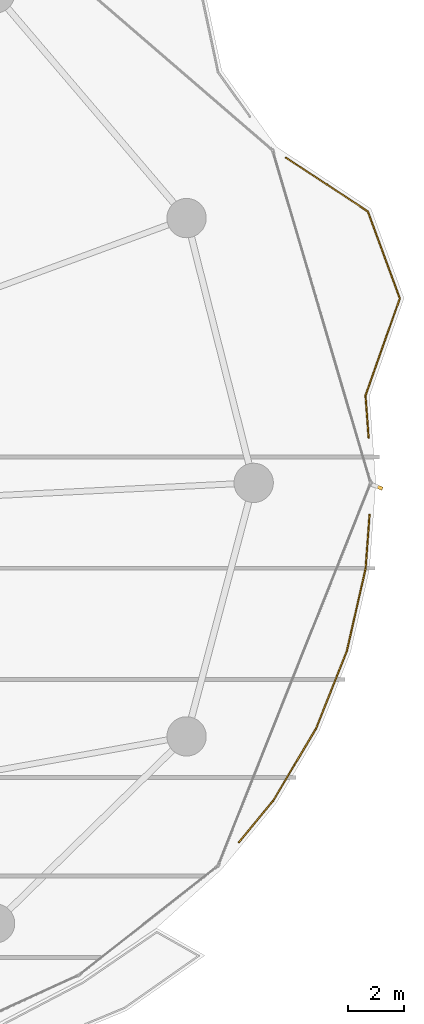
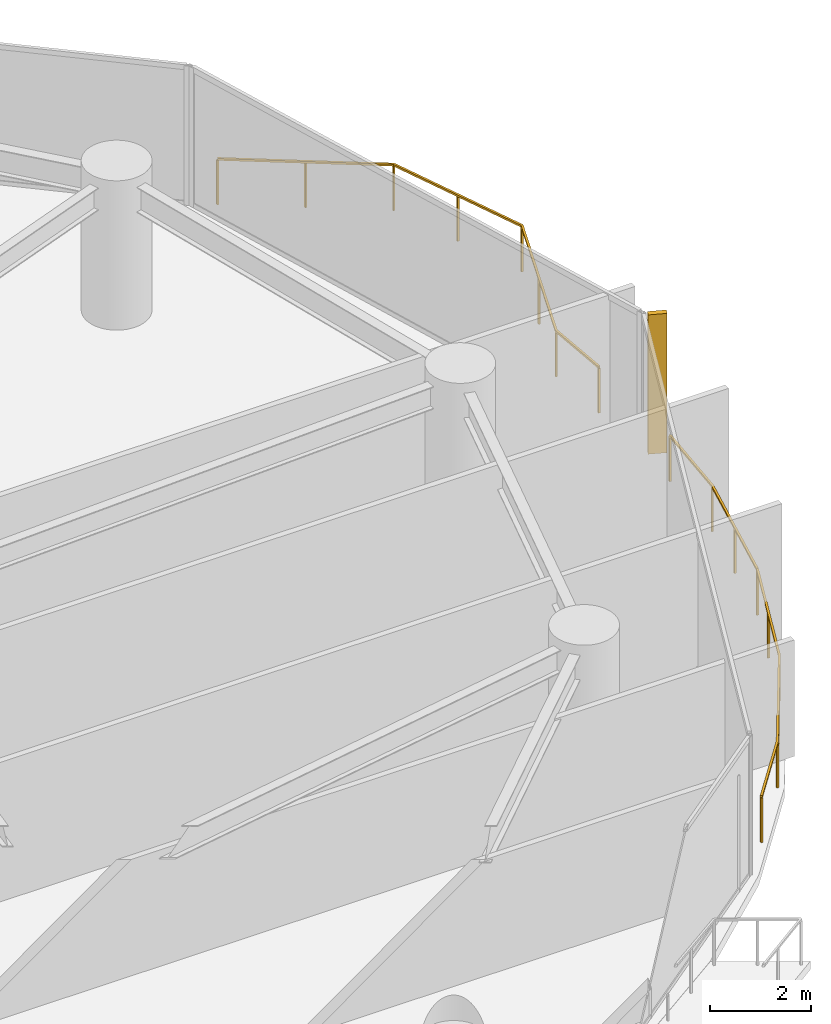
# One storey, part 33 of 33: 2 railings, 1 shading device.
"""IFC4 building model written with IfcOpenShell, lengths in metres."""

import ifcopenshell
import ifcopenshell.guid

model = None  # the IFC model being written
_history = None  # IfcOwnerHistory: only IFC2X3 demands one
_inside = {}  # id of a spatial element -> (the spatial element, [elements in it])
_under = {}  # id of a project, library or spatial element -> (it, [spatial elements below it])
_declared = {}  # id of a project -> (the project, [libraries it declares])
_typed = {}  # id of a type object -> (the type object, [elements of that type])
_made_of = {}  # id of a material, layer set ... -> (it, [elements and type objects made of it])


def new_model(schema):
    """Start an empty IFC model of exactly this schema.

    Asked for "IFC4X3", IfcOpenShell would pick the latest addendum, in which some entities
    have other attributes; the version numbers below select the first issue.
    IFC2X3 requires an IfcOwnerHistory on every rooted entity: one is made here for all.
    """
    global model, _history
    if schema == "IFC4X3":
        model = ifcopenshell.file(schema_version=(4, 3, 0, 0))
    else:
        model = ifcopenshell.file(schema=schema)
    _inside.clear()
    _under.clear()
    _declared.clear()
    _typed.clear()
    _made_of.clear()
    _history = None
    if model.schema == "IFC2X3":
        org = make("IfcOrganization", Name="unknown")
        user = make(
            "IfcPersonAndOrganization",
            ThePerson=make("IfcPerson", FamilyName="unknown"),
            TheOrganization=org,
        )
        app = make(
            "IfcApplication",
            ApplicationDeveloper=org,
            Version="unknown",
            ApplicationFullName="unknown",
            ApplicationIdentifier="unknown",
        )
        _history = make(
            "IfcOwnerHistory",
            OwningUser=user,
            OwningApplication=app,
            ChangeAction="ADDED",
            CreationDate=0,
        )
    return model


def make(cls, **values):
    """One entity of the class cls with the attributes given. An attribute that is None is left unset."""
    return model.create_entity(
        cls, **{name: value for name, value in values.items() if value is not None}
    )


def rooted(cls, **values):
    """An entity with a GlobalId (a new one), such as an element, a storey or a relation."""
    return make(cls, GlobalId=ifcopenshell.guid.new(), OwnerHistory=_history, **values)


def si_unit(unit_type, name, prefix=None):
    """IfcSIUnit, for example si_unit("LENGTHUNIT", "METRE", prefix="MILLI")."""
    return make("IfcSIUnit", UnitType=unit_type, Prefix=prefix, Name=name)


def assignment(units):
    """IfcUnitAssignment: the units of a project."""
    return None if units is None else make("IfcUnitAssignment", Units=units)


def point(xyz):
    """IfcCartesianPoint."""
    return None if xyz is None else make("IfcCartesianPoint", Coordinates=xyz)


def direction(xyz):
    """IfcDirection."""
    return None if xyz is None else make("IfcDirection", DirectionRatios=xyz)


def frame(location, z_axis=None, x_axis=None):
    """IfcAxis2Placement3D, a coordinate frame: its origin and axes. An axis left out is left unset."""
    return make(
        "IfcAxis2Placement3D",
        Location=point(location),
        Axis=direction(z_axis),
        RefDirection=direction(x_axis),
    )


def frame_2d(location, x_axis=None):
    """IfcAxis2Placement2D, a coordinate frame in the plane: its origin and x axis."""
    return make(
        "IfcAxis2Placement2D", Location=point(location), RefDirection=direction(x_axis)
    )


def origin():
    """The frame at (0, 0, 0) with its axes left unset."""
    return frame((0.0, 0.0, 0.0))


def origin_2d():
    """The frame at (0, 0) in the plane with its x axis left unset."""
    return frame_2d((0.0, 0.0))


def place(relative_to, where):
    """IfcLocalPlacement: puts the frame where relative to a parent placement (None: the world)."""
    return make(
        "IfcLocalPlacement", PlacementRelTo=relative_to, RelativePlacement=where
    )


def context(
    kind, dimensions, precision=None, world=None, true_north=None, identifier=None
):
    """IfcGeometricRepresentationContext, for example the 3D "Model" context."""
    return make(
        "IfcGeometricRepresentationContext",
        ContextIdentifier=identifier,
        ContextType=kind,
        CoordinateSpaceDimension=dimensions,
        Precision=precision,
        WorldCoordinateSystem=world,
        TrueNorth=true_north,
    )


def subcontext(parent, identifier, kind, view, scale=None):
    """IfcGeometricRepresentationSubContext, for example "Body" below "Model"."""
    return make(
        "IfcGeometricRepresentationSubContext",
        ContextIdentifier=identifier,
        ContextType=kind,
        ParentContext=parent,
        TargetScale=scale,
        TargetView=view,
    )


def project(units=None, contexts=None):
    """IfcProject with its units and contexts."""
    return rooted(
        "IfcProject",
        Name="project",
        RepresentationContexts=contexts,
        UnitsInContext=assignment(units),
    )


def spatial(cls, under=None, at=None, **own):
    """A site, building, storey or space (cls), placed at a placement, below another one or the project."""
    s = rooted(cls, ObjectPlacement=at, **own)
    if under is not None:
        _under.setdefault(under.id(), (under, []))[1].append(s)
    return s


def profile(cls, at=None, kind="AREA", **sizes):
    """A parametric profile (cls). Its sizes go by their IFC names, for example OverallWidth=200.0."""
    return make(cls, ProfileType=kind, Position=at, **sizes)


def rectangle(**sizes):
    """IfcRectangleProfileDef."""
    return profile("IfcRectangleProfileDef", **sizes)


def extrude(swept, where, along, depth):
    """IfcExtrudedAreaSolid: the profile swept, set in the frame where, extruded along a direction by depth."""
    return make(
        "IfcExtrudedAreaSolid",
        SweptArea=swept,
        Position=where,
        ExtrudedDirection=direction(along),
        Depth=depth,
    )


def shape(context_of_items, identifier, shape_type, items):
    """IfcShapeRepresentation: the items that make up one representation, for example the "Body"."""
    return make(
        "IfcShapeRepresentation",
        ContextOfItems=context_of_items,
        RepresentationIdentifier=identifier,
        RepresentationType=shape_type,
        Items=items,
    )


def material(Name=None, Category=None):
    """IfcMaterial."""
    return make("IfcMaterial", Name=Name, Category=Category)


def made_of(thing, what):
    """Note that an element or type object is made of a material, layer set ...; save() writes the relation."""
    if what is not None:
        _made_of.setdefault(what.id(), (what, []))[1].append(thing)
    return thing


def type_object(cls, material=None, **own):
    """A type object (cls), such as IfcWallType, which elements share."""
    return made_of(rooted(cls, **own), material)


def element(
    cls,
    number,
    at=None,
    inside=None,
    cuts=None,
    type_object=None,
    material=None,
    context=None,
    identifier="Body",
    shape_type=None,
    held_by="IfcProductDefinitionShape",
    body=None,
    shapes=None,
    **own,
):
    """One element of the class cls, such as IfcWall. Its Tag is "e" and its number.

    at: its placement. inside: the storey or other place that contains it. cuts: it is an
    opening in that element (IfcRelVoidsElement). A single representation is given by context,
    identifier, shape_type and body (its items); several are given by shapes. held_by: the class
    of the entity that holds the representations. save() writes the other relations.
    """
    e = rooted(cls, Tag="e%d" % number, ObjectPlacement=at, **own)
    if body is not None:
        shapes = [shape(context, identifier, shape_type, body)]
    if shapes is not None:
        e.Representation = make(held_by, Representations=shapes)
    if inside is not None:
        _inside.setdefault(inside.id(), (inside, []))[1].append(e)
    if cuts is not None:
        rooted(
            "IfcRelVoidsElement", RelatingBuildingElement=cuts, RelatedOpeningElement=e
        )
    if type_object is not None:
        _typed.setdefault(type_object.id(), (type_object, []))[1].append(e)
    return made_of(e, material)


def aggregate(whole, parts):
    """IfcRelAggregates: a whole, such as a stair, and the parts it consists of."""
    return rooted("IfcRelAggregates", RelatingObject=whole, RelatedObjects=parts)


def save(model, path):
    """Write the relations noted so far, then the file.

    IfcRelAggregates (storeys below a building ...), IfcRelContainedInSpatialStructure (elements
    in a storey), IfcRelDefinesByType, IfcRelAssociatesMaterial and IfcRelDeclares: one each for
    every whole, place, type object, material and project.
    """
    for whole, parts in _under.values():
        aggregate(whole, parts)
    for where, things in _inside.values():
        rooted(
            "IfcRelContainedInSpatialStructure",
            RelatedElements=things,
            RelatingStructure=where,
        )
    for kind, things in _typed.values():
        rooted("IfcRelDefinesByType", RelatedObjects=things, RelatingType=kind)
    for what, things in _made_of.values():
        rooted("IfcRelAssociatesMaterial", RelatedObjects=things, RelatingMaterial=what)
    for by, libraries in _declared.values():
        rooted("IfcRelDeclares", RelatingContext=by, RelatedDefinitions=libraries)
    model.write(path)


model = new_model("IFC4")

# Units and contexts
model_context = context("Model", 3, precision=1e-05, world=origin(), true_north=direction((0.0, 1.0)))
body_context = subcontext(model_context, "Body", "Model", "MODEL_VIEW")
ifc_project = project(units=[si_unit("LENGTHUNIT", "METRE"), si_unit("AREAUNIT", "SQUARE_METRE"), si_unit("VOLUMEUNIT", "CUBIC_METRE"), si_unit("PLANEANGLEUNIT", "RADIAN"), si_unit("MASSUNIT", "GRAM", prefix="KILO")], contexts=[model_context])

# Site, building, storey
site_placement = place(None, origin())
site = spatial("IfcSite", under=ifc_project, at=site_placement, CompositionType="ELEMENT")
building_placement = place(site_placement, origin())
building = spatial("IfcBuilding", under=site, at=building_placement, Name="Kazevale Care Tower and Concert Hall", CompositionType="ELEMENT")
storey_placement = place(building_placement, frame((0.0, 0.0, 27.60009765625)))
storey = spatial("IfcBuildingStorey", under=building, at=storey_placement, Name="L06", CompositionType="ELEMENT", Elevation=27.60009765625)

# Railings
ifc_material_1 = material(Name="Anodised Bronze Aluminium and Laminated Glass", Category="aluminium")
railing_type = type_object("IfcRailingType", Name="Balcony and Terrace Balustrade 1120", PredefinedType="BALUSTRADE", material=ifc_material_1)
railing_1_placement = place(storey_placement, frame((80.575927734375, 36.864990234375, 0.0)))
element("IfcRailing", 1, at=railing_1_placement, inside=storey, type_object=railing_type, Name="rail:L06:perim:10", PredefinedType="BALUSTRADE", context=body_context, shape_type="SweptSolid", body=[
    extrude(rectangle(XDim=0.048095703125, YDim=0.048095703125, at=origin_2d()), frame((0.0, 0.0, 1.09619140625), z_axis=(-0.072929321708, -0.99733711153, 0.0), x_axis=(0.99733711153, -0.072929321708, 0.0)), (0.0, 0.0, 1.0), 1.918212890625),
    extrude(rectangle(XDim=0.048095703125, YDim=0.048095703125, at=origin_2d()), frame((-0.139892578125, -1.9130859375, 1.09619140625), z_axis=(-0.22169815306, -0.975115341347, 0.0), x_axis=(0.975115341347, -0.22169815306, 0.0)), (0.0, 0.0, 1.0), 3.012939453125),
    extrude(rectangle(XDim=0.048095703125, YDim=0.048095703125, at=origin_2d()), frame((-0.807861328125, -4.85107421875, 1.09619140625), z_axis=(-0.369500413357, -0.92923056586, 0.0), x_axis=(0.92923056586, -0.369500413357, 0.0)), (0.0, 0.0, 1.0), 2.985107421875),
    extrude(rectangle(XDim=0.048095703125, YDim=0.048095703125, at=origin_2d()), frame((-1.910888671875, -7.625, 1.09619140625), z_axis=(-0.510655847211, -0.859785209055, 0.0), x_axis=(0.859785209055, -0.510655847211, 0.0)), (0.0, 0.0, 1.0), 2.986572265625),
    extrude(rectangle(XDim=0.048095703125, YDim=0.048095703125, at=origin_2d()), frame((-3.43603515625, -10.19287109375, 1.09619140625), z_axis=(-0.636478085384, -0.771294785945, 0.0), x_axis=(0.771294785945, -0.636478085384, 0.0)), (0.0, 0.0, 1.0), 1.90869140625),
    extrude(rectangle(XDim=0.0419921875, YDim=0.0419921875, at=origin_2d()), origin(), (0.0, 0.0, 1.0), 1.072021484375),
    extrude(rectangle(XDim=0.0419921875, YDim=0.0419921875, at=origin_2d()), frame((-0.139892578125, -1.9130859375, 0.0)), (0.0, 0.0, 1.0), 1.072021484375),
    extrude(rectangle(XDim=0.0419921875, YDim=0.0419921875, at=origin_2d()), frame((-0.473876953125, -3.382080078125, 0.0)), (0.0, 0.0, 1.0), 1.072021484375),
    extrude(rectangle(XDim=0.0419921875, YDim=0.0419921875, at=origin_2d()), frame((-0.807861328125, -4.85107421875, 0.0)), (0.0, 0.0, 1.0), 1.072021484375),
    extrude(rectangle(XDim=0.0419921875, YDim=0.0419921875, at=origin_2d()), frame((-1.359375, -6.238037109375, 0.0)), (0.0, 0.0, 1.0), 1.072021484375),
    extrude(rectangle(XDim=0.0419921875, YDim=0.0419921875, at=origin_2d()), frame((-1.910888671875, -7.625, 0.0)), (0.0, 0.0, 1.0), 1.072021484375),
    extrude(rectangle(XDim=0.0419921875, YDim=0.0419921875, at=origin_2d()), frame((-2.67333984375, -8.908935546875, 0.0)), (0.0, 0.0, 1.0), 1.072021484375),
    extrude(rectangle(XDim=0.0419921875, YDim=0.0419921875, at=origin_2d()), frame((-3.43603515625, -10.19287109375, 0.0)), (0.0, 0.0, 1.0), 1.072021484375),
    extrude(rectangle(XDim=0.0419921875, YDim=0.0419921875, at=origin_2d()), frame((-4.65087890625, -11.6650390625, 0.0)), (0.0, 0.0, 1.0), 1.072021484375),
])
railing_2_placement = place(storey_placement, frame((77.60205078125, 49.580078125, 0.0)))
element("IfcRailing", 2, at=railing_2_placement, inside=storey, type_object=railing_type, Name="rail:L06:perim:11", PredefinedType="BALUSTRADE", context=body_context, shape_type="SweptSolid", body=[
    extrude(rectangle(XDim=0.048095703125, YDim=0.048095703125, at=origin_2d()), frame((0.0, 0.0, 1.09619140625), z_axis=(0.836080040141, -0.548607479422, 0.0), x_axis=(0.548607479422, 0.836080040141, 0.0)), (0.0, 0.0, 1.0), 3.4853515625),
    extrude(rectangle(XDim=0.048095703125, YDim=0.048095703125, at=origin_2d()), frame((2.9140625, -1.912109375, 1.09619140625), z_axis=(0.34544454401, -0.938439165324, 0.0), x_axis=(0.938439165324, 0.34544454401, 0.0)), (0.0, 0.0, 1.0), 3.296875),
    extrude(rectangle(XDim=0.048095703125, YDim=0.048095703125, at=origin_2d()), frame((4.052978515625, -5.006103515625, 1.09619140625), z_axis=(-0.332566381025, -0.94307984933, 0.0), x_axis=(0.94307984933, -0.332566381025, 0.0)), (0.0, 0.0, 1.0), 3.67431640625),
    extrude(rectangle(XDim=0.048095703125, YDim=0.048095703125, at=origin_2d()), frame((2.8310546875, -8.47119140625, 1.09619140625), z_axis=(0.072904890187, -0.997338897761, 0.0), x_axis=(0.997338897761, 0.072904890187, 0.0)), (0.0, 0.0, 1.0), 1.5068359375),
    extrude(rectangle(XDim=0.0419921875, YDim=0.0419921875, at=origin_2d()), origin(), (0.0, 0.0, 1.0), 1.072021484375),
    extrude(rectangle(XDim=0.0419921875, YDim=0.0419921875, at=origin_2d()), frame((1.45703125, -0.9560546875, 0.0)), (0.0, 0.0, 1.0), 1.072021484375),
    extrude(rectangle(XDim=0.0419921875, YDim=0.0419921875, at=origin_2d()), frame((2.9140625, -1.912109375, 0.0)), (0.0, 0.0, 1.0), 1.072021484375),
    extrude(rectangle(XDim=0.0419921875, YDim=0.0419921875, at=origin_2d()), frame((3.4833984375, -3.458984375, 0.0)), (0.0, 0.0, 1.0), 1.072021484375),
    extrude(rectangle(XDim=0.0419921875, YDim=0.0419921875, at=origin_2d()), frame((4.052978515625, -5.006103515625, 0.0)), (0.0, 0.0, 1.0), 1.072021484375),
    extrude(rectangle(XDim=0.0419921875, YDim=0.0419921875, at=origin_2d()), frame((3.44189453125, -6.73876953125, 0.0)), (0.0, 0.0, 1.0), 1.072021484375),
    extrude(rectangle(XDim=0.0419921875, YDim=0.0419921875, at=origin_2d()), frame((2.8310546875, -8.47119140625, 0.0)), (0.0, 0.0, 1.0), 1.072021484375),
    extrude(rectangle(XDim=0.0419921875, YDim=0.0419921875, at=origin_2d()), frame((2.94091796875, -9.97412109375, 0.0)), (0.0, 0.0, 1.0), 1.072021484375),
])

# Shading device
ifc_material_2 = material(Name="Honed Ochre Limestone", Category="masonry")
shading_device_type = type_object("IfcShadingDeviceType", Name="Vertical Honed Limestone Fin FIN-01", PredefinedType="USERDEFINED", material=ifc_material_2)
shading_device_placement = place(storey_placement, frame((80.861572265625, 37.860595703125, 0.0), z_axis=(0.0, 0.0, 1.0), x_axis=(0.928874213199, -0.370395324019, 0.0)))
element("IfcShadingDevice", 3, at=shading_device_placement, inside=storey, type_object=shading_device_type, Name="cw:L06:f01:fin", ObjectType="FIN", PredefinedType="USERDEFINED", context=body_context, shape_type="SweptSolid", body=[
    extrude(rectangle(XDim=0.3798828125, YDim=0.1201171875, at=origin_2d()), origin(), (0.0, 0.0, 1.0), 3.360107421875),
])

save(model, "model.ifc")
